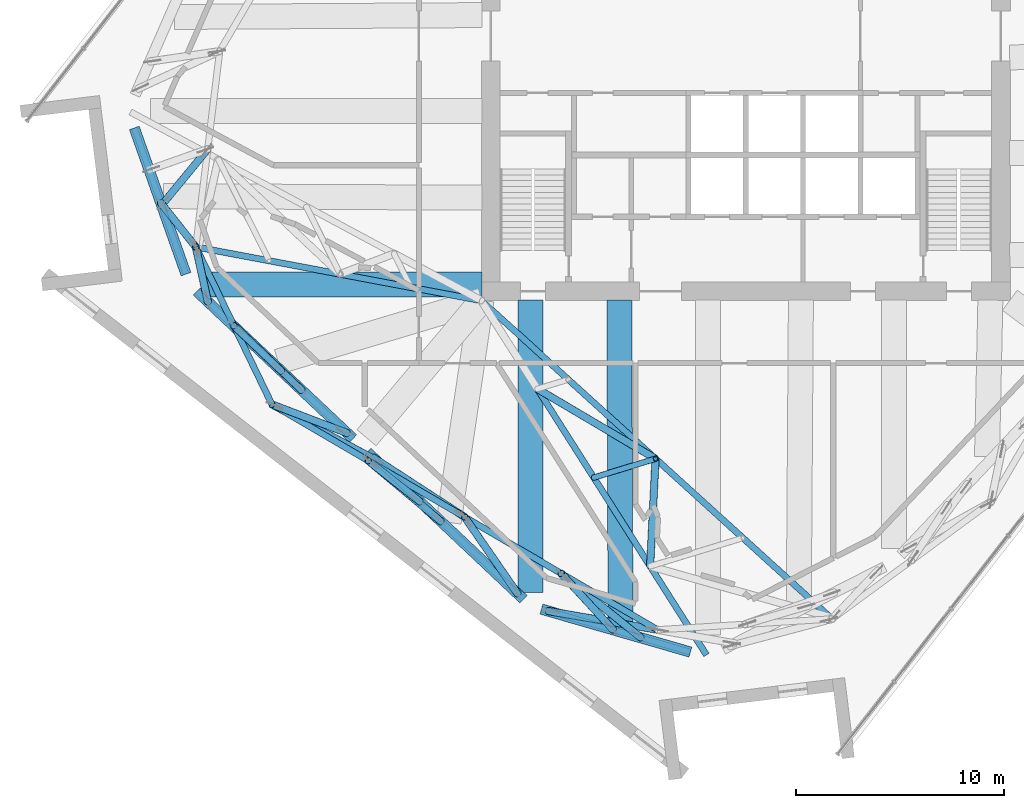
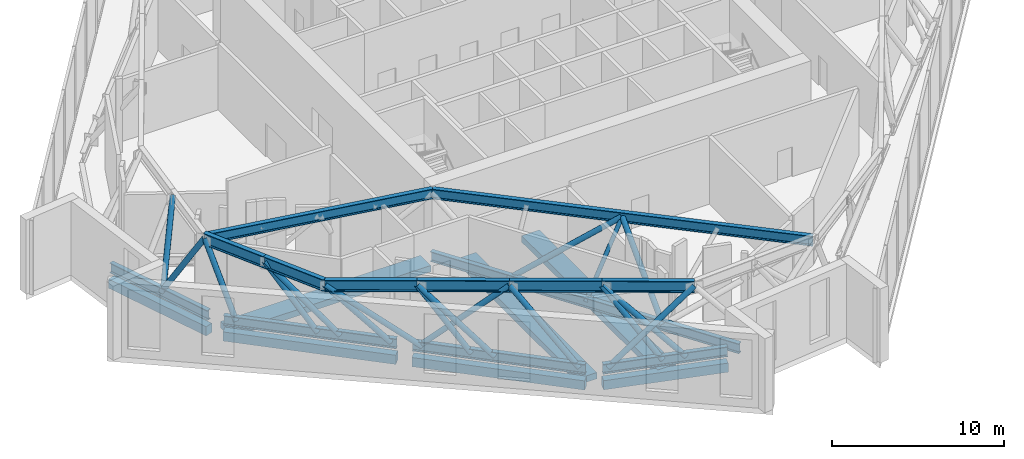
# One storey, part 1 of 23: 20 beams, 17 members.
"""IFC4 building model written with IfcOpenShell, lengths in metres."""

from ifc_helpers import new_model, si_unit, direction, frame, origin, origin_2d, place, context, subcontext, project, spatial, rectangle, hollow_circle, i_section, extrude, material, material_profile, profile_set, type_object, element, save


model = new_model("IFC4")

# Units and contexts
model_context = context("Model", 3, precision=1e-05, world=origin(), true_north=direction((0.0, 1.0)))
body_context = subcontext(model_context, "Body", "Model", "MODEL_VIEW")
ifc_project = project(units=[si_unit("LENGTHUNIT", "METRE"), si_unit("AREAUNIT", "SQUARE_METRE"), si_unit("VOLUMEUNIT", "CUBIC_METRE"), si_unit("PLANEANGLEUNIT", "RADIAN"), si_unit("MASSUNIT", "GRAM", prefix="KILO")], contexts=[model_context])

# Site, building, storey
site_placement = place(None, origin())
site = spatial("IfcSite", under=ifc_project, at=site_placement, CompositionType="ELEMENT")
building_placement = place(site_placement, origin())
building = spatial("IfcBuilding", under=site, at=building_placement, Name="Dilmun Exchange Tower", CompositionType="ELEMENT")
storey_placement = place(building_placement, frame((0.0, 0.0, 237.300048828125)))
storey = spatial("IfcBuildingStorey", under=building, at=storey_placement, Name="L56", CompositionType="ELEMENT", Elevation=237.300048828125)

# Beams
ifc_material_1 = material(Name="Concrete C40/50", Category="concrete")
ifc_material_profile_1 = material_profile(ifc_material_1, rectangle(XDim=1.199951171875, YDim=0.449951171875, at=origin_2d()), Name="1200 x 450")
ifc_profile_set_1 = profile_set([ifc_material_profile_1], Name="Concrete C40/50")
beam_type_1 = type_object("IfcBeamType", Name="RC band beam 1200 x 450 C40/50", PredefinedType="BEAM", material=ifc_profile_set_1)
beam_1_placement = place(storey_placement, frame((-26.0458984375, -11.930908203125, -0.705078125), z_axis=(1.0, 0.0, 0.0), x_axis=(0.0, 1.0, 0.0)))
element("IfcBeam", 1, at=beam_1_placement, inside=storey, type_object=beam_type_1, Name="Band beam 6", PredefinedType="BEAM", context=body_context, shape_type="SweptSolid", body=[
    extrude(rectangle(XDim=1.199951171875, YDim=0.449951171875, at=origin_2d()), origin(), (0.0, 0.0, 1.0), 13.372802734375),
])
beam_2_placement = place(storey_placement, frame((-10.3330078125, -26.703857421875, -0.705078125), z_axis=(0.0, 1.0, 0.0), x_axis=(-1.0, 0.0, 0.0)))
element("IfcBeam", 2, at=beam_2_placement, inside=storey, type_object=beam_type_1, Name="Band beam 8", PredefinedType="BEAM", context=body_context, shape_type="SweptSolid", body=[
    extrude(rectangle(XDim=1.199951171875, YDim=0.449951171875, at=origin_2d()), origin(), (0.0, 0.0, 1.0), 14.03076171875),
])
beam_3_placement = place(storey_placement, frame((-6.01708984375, -28.376708984375, -0.60498046875), z_axis=(-0.003948851398, 0.999992203256, 0.0), x_axis=(-0.999992203256, -0.003948851398, 0.0)))
element("IfcBeam", 3, at=beam_3_placement, inside=storey, type_object=beam_type_1, Name="Band beam 24", PredefinedType="BEAM", context=body_context, shape_type="SweptSolid", body=[
    extrude(rectangle(XDim=1.199951171875, YDim=0.449951171875, at=origin_2d()), origin(), (0.0, 0.0, 1.0), 15.703857421875),
])
ifc_material_profile_2 = material_profile(ifc_material_1, rectangle(XDim=0.5, YDim=0.64990234375, at=origin_2d()), Name="500 x 650")
ifc_profile_set_2 = profile_set([ifc_material_profile_2], Name="Concrete C40/50")
beam_type_2 = type_object("IfcBeamType", Name="RC ring beam 500 x 650 C40/50", PredefinedType="SPANDREL", material=ifc_profile_set_2)
beam_4_placement = place(storey_placement, frame((-29.367919921875, -4.404541015625, -0.705078125), z_axis=(0.333423578623, -0.942777130195, 0.0), x_axis=(0.942777130195, 0.333423578623, 0.0)))
element("IfcBeam", 4, at=beam_4_placement, inside=storey, type_object=beam_type_2, Name="Ring beam 5", PredefinedType="SPANDREL", context=body_context, shape_type="SweptSolid", body=[
    extrude(rectangle(XDim=0.5, YDim=0.64990234375, at=origin_2d()), origin(), (0.0, 0.0, 1.0), 7.4482421875),
])
beam_5_placement = place(storey_placement, frame((-26.36181640625, -12.25537109375, -0.705078125), z_axis=(0.727685706374, -0.68591071776, 0.0), x_axis=(0.68591071776, 0.727685706374, 0.0)))
element("IfcBeam", 5, at=beam_5_placement, inside=storey, type_object=beam_type_2, Name="Ring beam 6", PredefinedType="SPANDREL", context=body_context, shape_type="SweptSolid", body=[
    extrude(rectangle(XDim=0.5, YDim=0.64990234375, at=origin_2d()), origin(), (0.0, 0.0, 1.0), 10.30322265625),
])
beam_6_placement = place(storey_placement, frame((-18.17578125, -19.971435546875, -0.705078125), z_axis=(0.727682990869, -0.685913598641, 0.0), x_axis=(0.685913598641, 0.727682990869, 0.0)))
element("IfcBeam", 6, at=beam_6_placement, inside=storey, type_object=beam_type_2, Name="Ring beam 7", PredefinedType="SPANDREL", context=body_context, shape_type="SweptSolid", body=[
    extrude(rectangle(XDim=0.5, YDim=0.64990234375, at=origin_2d()), origin(), (0.0, 0.0, 1.0), 10.3046875),
])
beam_7_placement = place(storey_placement, frame((-9.818603515625, -27.51220703125, -0.705078125), z_axis=(0.960825605861, -0.277153666983, 0.0), x_axis=(0.277153666983, 0.960825605861, 0.0)))
element("IfcBeam", 7, at=beam_7_placement, inside=storey, type_object=beam_type_2, Name="Ring beam 8", PredefinedType="SPANDREL", context=body_context, shape_type="SweptSolid", body=[
    extrude(rectangle(XDim=0.5, YDim=0.64990234375, at=origin_2d()), origin(), (0.0, 0.0, 1.0), 7.447021484375),
])
ifc_material_2 = material(Name="Steel S355", Category="steel")
ifc_material_profile_3 = material_profile(ifc_material_2, i_section(OverallWidth=0.300048828125, OverallDepth=0.699951171875, WebThickness=0.01708984375, FlangeThickness=0.031982421875, FilletRadius=0.027099609375, at=origin_2d()), Name="HEB 700")
ifc_profile_set_3 = profile_set([ifc_material_profile_3], Name="Steel S355")
beam_type_3 = type_object("IfcBeamType", Name="belt bottom chord HEB 700", PredefinedType="BEAM", material=ifc_profile_set_3)
beam_8_placement = place(storey_placement, frame((-29.367919921875, -4.404541015625, 0.349853515625), z_axis=(0.333423578623, -0.942777130195, 0.0), x_axis=(0.942777130195, 0.333423578623, 0.0)))
element("IfcBeam", 8, at=beam_8_placement, inside=storey, type_object=beam_type_3, Name="Belt bottom chord 5", PredefinedType="BEAM", context=body_context, shape_type="SweptSolid", body=[
    extrude(i_section(OverallWidth=0.300048828125, OverallDepth=0.699951171875, WebThickness=0.01708984375, FlangeThickness=0.031982421875, FilletRadius=0.027099609375, at=origin_2d()), origin(), (0.0, 0.0, 1.0), 7.4482421875),
])
beam_9_placement = place(storey_placement, frame((-26.36181640625, -12.25537109375, 0.349853515625), z_axis=(0.727685706374, -0.68591071776, 0.0), x_axis=(0.68591071776, 0.727685706374, 0.0)))
element("IfcBeam", 9, at=beam_9_placement, inside=storey, type_object=beam_type_3, Name="Belt bottom chord 6", PredefinedType="BEAM", context=body_context, shape_type="SweptSolid", body=[
    extrude(i_section(OverallWidth=0.300048828125, OverallDepth=0.699951171875, WebThickness=0.01708984375, FlangeThickness=0.031982421875, FilletRadius=0.027099609375, at=origin_2d()), origin(), (0.0, 0.0, 1.0), 10.30322265625),
])
beam_10_placement = place(storey_placement, frame((-18.17578125, -19.971435546875, 0.349853515625), z_axis=(0.727682990869, -0.685913598641, 0.0), x_axis=(0.685913598641, 0.727682990869, 0.0)))
element("IfcBeam", 10, at=beam_10_placement, inside=storey, type_object=beam_type_3, Name="Belt bottom chord 7", PredefinedType="BEAM", context=body_context, shape_type="SweptSolid", body=[
    extrude(i_section(OverallWidth=0.300048828125, OverallDepth=0.699951171875, WebThickness=0.01708984375, FlangeThickness=0.031982421875, FilletRadius=0.027099609375, at=origin_2d()), origin(), (0.0, 0.0, 1.0), 10.3046875),
])
beam_11_placement = place(storey_placement, frame((-9.818603515625, -27.51220703125, 0.349853515625), z_axis=(0.960825605861, -0.277153666983, 0.0), x_axis=(0.277153666983, 0.960825605861, 0.0)))
element("IfcBeam", 11, at=beam_11_placement, inside=storey, type_object=beam_type_3, Name="Belt bottom chord 8", PredefinedType="BEAM", context=body_context, shape_type="SweptSolid", body=[
    extrude(i_section(OverallWidth=0.300048828125, OverallDepth=0.699951171875, WebThickness=0.01708984375, FlangeThickness=0.031982421875, FilletRadius=0.027099609375, at=origin_2d()), origin(), (0.0, 0.0, 1.0), 7.447021484375),
])
ifc_material_profile_4 = material_profile(ifc_material_2, i_section(OverallWidth=0.300048828125, OverallDepth=0.699951171875, WebThickness=0.01708984375, FlangeThickness=0.031982421875, FilletRadius=0.027099609375, at=origin_2d()), Name="HEB 700")
ifc_profile_set_4 = profile_set([ifc_material_profile_4], Name="Steel S355")
beam_type_4 = type_object("IfcBeamType", Name="outrigger chord HEB 700", PredefinedType="BEAM", material=ifc_profile_set_4)
beam_12_placement = place(storey_placement, frame((-12.673583984375, -12.705078125, 4.7900390625), z_axis=(-0.98278691706, 0.184742728292, 0.0), x_axis=(-0.184742728292, -0.98278691706, 0.0)))
element("IfcBeam", 12, at=beam_12_placement, inside=storey, type_object=beam_type_4, Name="Outrigger top chord 2", PredefinedType="BEAM", context=body_context, shape_type="SweptSolid", body=[
    extrude(i_section(OverallWidth=0.300048828125, OverallDepth=0.699951171875, WebThickness=0.01708984375, FlangeThickness=0.031982421875, FilletRadius=0.027099609375, at=origin_2d()), origin(), (0.0, 0.0, 1.0), 13.857421875),
])
beam_13_placement = place(storey_placement, frame((-12.714599609375, -12.67724609375, 0.349853515625), z_axis=(0.536235123558, -0.844068653762, 0.0), x_axis=(0.844068653762, 0.536235123558, 0.0)))
element("IfcBeam", 13, at=beam_13_placement, inside=storey, type_object=beam_type_4, Name="Outrigger bottom chord 3", PredefinedType="BEAM", context=body_context, shape_type="SweptSolid", body=[
    extrude(i_section(OverallWidth=0.300048828125, OverallDepth=0.699951171875, WebThickness=0.01708984375, FlangeThickness=0.031982421875, FilletRadius=0.027099609375, at=origin_2d()), origin(), (0.0, 0.0, 1.0), 20.184326171875),
])
beam_14_placement = place(storey_placement, frame((-12.719970703125, -12.681884765625, 4.7900390625), z_axis=(0.74052960224, -0.672023740805, 0.0), x_axis=(0.672023740805, 0.74052960224, 0.0)))
element("IfcBeam", 14, at=beam_14_placement, inside=storey, type_object=beam_type_4, Name="Outrigger top chord 3", PredefinedType="BEAM", context=body_context, shape_type="SweptSolid", body=[
    extrude(i_section(OverallWidth=0.300048828125, OverallDepth=0.699951171875, WebThickness=0.01708984375, FlangeThickness=0.031982421875, FilletRadius=0.027099609375, at=origin_2d()), origin(), (0.0, 0.0, 1.0), 22.644287109375),
])

# Member
ifc_material_profile_5 = material_profile(ifc_material_2, hollow_circle(Radius=0.136474609375, WallThickness=0.01611328125, at=origin_2d()), Name="CHS 273x16")
ifc_profile_set_5 = profile_set([ifc_material_profile_5], Name="Steel S355")
member_type_1 = type_object("IfcMemberType", Name="outrigger post CHS 273x16", PredefinedType="POST", material=ifc_profile_set_5)
member_1_placement = place(storey_placement, frame((-4.335693359375, -20.29052734375, 4.7900390625), z_axis=(-0.547781747449, -0.167133606479, -0.819756985177), x_axis=(0.291828609368, -0.956470628276, 0.0)))
element("IfcMember", 15, at=member_1_placement, inside=storey, type_object=member_type_1, Name="Outrigger post 3.2", PredefinedType="POST", context=body_context, shape_type="SweptSolid", body=[
    extrude(hollow_circle(Radius=0.136474609375, WallThickness=0.01611328125, at=origin_2d()), origin(), (0.0, 0.0, 1.0), 5.41650390625),
])

# Beams
ifc_material_profile_6 = material_profile(ifc_material_2, i_section(OverallWidth=0.302978515625, OverallDepth=0.81396484375, WebThickness=0.02099609375, FlangeThickness=0.0400390625, FilletRadius=0.030029296875, at=origin_2d()), Name="HEM 800")
ifc_profile_set_6 = profile_set([ifc_material_profile_6], Name="Steel S355")
beam_type_5 = type_object("IfcBeamType", Name="transfer chord HEM 800", PredefinedType="BEAM", material=ifc_profile_set_6)
beam_15_placement = place(storey_placement, frame((-26.4150390625, -10.1220703125, 4.8330078125), z_axis=(0.435477342171, -0.900199691433, 0.0), x_axis=(0.900199691433, 0.435477342171, 0.0)))
element("IfcBeam", 16, at=beam_15_placement, inside=storey, type_object=beam_type_5, Name="Transfer chord 9", PredefinedType="BEAM", context=body_context, shape_type="SweptSolid", body=[
    extrude(i_section(OverallWidth=0.302978515625, OverallDepth=0.81396484375, WebThickness=0.02099609375, FlangeThickness=0.0400390625, FilletRadius=0.030029296875, at=origin_2d()), origin(), (0.0, 0.0, 1.0), 4.19921875),
])
beam_16_placement = place(storey_placement, frame((-24.58642578125, -13.902099609375, 4.8330078125), z_axis=(0.435453017178, -0.900211458398, 0.0), x_axis=(0.900211458398, 0.435453017178, 0.0)))
element("IfcBeam", 17, at=beam_16_placement, inside=storey, type_object=beam_type_5, Name="Transfer chord 10", PredefinedType="BEAM", context=body_context, shape_type="SweptSolid", body=[
    extrude(i_section(OverallWidth=0.302978515625, OverallDepth=0.81396484375, WebThickness=0.02099609375, FlangeThickness=0.0400390625, FilletRadius=0.030029296875, at=origin_2d()), origin(), (0.0, 0.0, 1.0), 4.19873046875),
])
beam_17_placement = place(storey_placement, frame((-22.758056640625, -17.681884765625, 4.8330078125), z_axis=(0.863337684908, -0.504626636056, 0.0), x_axis=(0.504626636056, 0.863337684908, 0.0)))
element("IfcBeam", 18, at=beam_17_placement, inside=storey, type_object=beam_type_5, Name="Transfer chord 11", PredefinedType="BEAM", context=body_context, shape_type="SweptSolid", body=[
    extrude(i_section(OverallWidth=0.302978515625, OverallDepth=0.81396484375, WebThickness=0.02099609375, FlangeThickness=0.0400390625, FilletRadius=0.030029296875, at=origin_2d()), origin(), (0.0, 0.0, 1.0), 5.362548828125),
])
beam_18_placement = place(storey_placement, frame((-18.12841796875, -20.387939453125, 4.8330078125), z_axis=(0.86332609074, -0.504646471351, 0.0), x_axis=(0.504646471351, 0.86332609074, 0.0)))
element("IfcBeam", 19, at=beam_18_placement, inside=storey, type_object=beam_type_5, Name="Transfer chord 12", PredefinedType="BEAM", context=body_context, shape_type="SweptSolid", body=[
    extrude(i_section(OverallWidth=0.302978515625, OverallDepth=0.81396484375, WebThickness=0.02099609375, FlangeThickness=0.0400390625, FilletRadius=0.030029296875, at=origin_2d()), origin(), (0.0, 0.0, 1.0), 5.3623046875),
])
beam_19_placement = place(storey_placement, frame((-13.4990234375, -23.093994140625, 4.8330078125), z_axis=(0.863337684908, -0.504626636056, 0.0), x_axis=(0.504626636056, 0.863337684908, 0.0)))
element("IfcBeam", 20, at=beam_19_placement, inside=storey, type_object=beam_type_5, Name="Transfer chord 13", PredefinedType="BEAM", context=body_context, shape_type="SweptSolid", body=[
    extrude(i_section(OverallWidth=0.302978515625, OverallDepth=0.81396484375, WebThickness=0.02099609375, FlangeThickness=0.0400390625, FilletRadius=0.030029296875, at=origin_2d()), origin(), (0.0, 0.0, 1.0), 5.362548828125),
])
beam_20_placement = place(storey_placement, frame((-8.869384765625, -25.800048828125, 4.8330078125), z_axis=(0.86332609074, -0.504646471351, 0.0), x_axis=(0.504646471351, 0.86332609074, 0.0)))
element("IfcBeam", 21, at=beam_20_placement, inside=storey, type_object=beam_type_5, Name="Transfer chord 14", PredefinedType="BEAM", context=body_context, shape_type="SweptSolid", body=[
    extrude(i_section(OverallWidth=0.302978515625, OverallDepth=0.81396484375, WebThickness=0.02099609375, FlangeThickness=0.0400390625, FilletRadius=0.030029296875, at=origin_2d()), origin(), (0.0, 0.0, 1.0), 5.3623046875),
])

# Members
ifc_material_profile_7 = material_profile(ifc_material_2, hollow_circle(Radius=0.177734375, WallThickness=0.02001953125, at=origin_2d()), Name="CHS 355.6x20")
ifc_profile_set_7 = profile_set([ifc_material_profile_7], Name="Steel S355")
member_type_2 = type_object("IfcMemberType", Name="truss diagonal CHS 355.6x20", PredefinedType="BRACE", material=ifc_profile_set_7)
member_2_placement = place(storey_placement, frame((-25.841552734375, -5.422119140625, 4.8330078125), z_axis=(-0.389920405298, -0.474095063906, -0.789427607772), x_axis=(0.772338441393, -0.635211249858, 0.0)))
element("IfcMember", 22, at=member_2_placement, inside=storey, type_object=member_type_2, Name="Truss diagonal 16", PredefinedType="BRACE", context=body_context, shape_type="SweptSolid", body=[
    extrude(hollow_circle(Radius=0.177734375, WallThickness=0.02001953125, at=origin_2d()), origin(), (0.0, 0.0, 1.0), 5.678955078125),
])
member_3_placement = place(storey_placement, frame((-26.4150390625, -10.1220703125, 4.8330078125), z_axis=(0.111307965495, -0.503149340044, -0.857001329305), x_axis=(0.976393320872, 0.21600019203, 0.0)))
element("IfcMember", 23, at=member_3_placement, inside=storey, type_object=member_type_2, Name="Truss diagonal 17", PredefinedType="BRACE", context=body_context, shape_type="SweptSolid", body=[
    extrude(hollow_circle(Radius=0.177734375, WallThickness=0.02001953125, at=origin_2d()), origin(), (0.0, 0.0, 1.0), 5.231201171875),
])
member_4_placement = place(storey_placement, frame((-26.4150390625, -10.1220703125, 4.8330078125), z_axis=(-0.320635516304, 0.403605964273, -0.856910200247), x_axis=(-0.7829928324, -0.622030726259, 0.0)))
element("IfcMember", 24, at=member_4_placement, inside=storey, type_object=member_type_2, Name="Truss diagonal 18", PredefinedType="BRACE", context=body_context, shape_type="SweptSolid", body=[
    extrude(hollow_circle(Radius=0.177734375, WallThickness=0.02001953125, at=origin_2d()), origin(), (0.0, 0.0, 1.0), 5.231689453125),
])
member_5_placement = place(storey_placement, frame((-24.58642578125, -13.902099609375, 4.8330078125), z_axis=(0.415903197084, -0.396921542707, -0.818216242561), x_axis=(0.69040569658, 0.723422403669, 0.0)))
element("IfcMember", 25, at=member_5_placement, inside=storey, type_object=member_type_2, Name="Truss diagonal 19", PredefinedType="BRACE", context=body_context, shape_type="SweptSolid", body=[
    extrude(hollow_circle(Radius=0.177734375, WallThickness=0.02001953125, at=origin_2d()), origin(), (0.0, 0.0, 1.0), 5.479248046875),
])
member_6_placement = place(storey_placement, frame((-24.58642578125, -13.902099609375, 4.8330078125), z_axis=(0.513417730959, -0.488127353136, -0.705786030364), x_axis=(0.689031732545, 0.724731171916, 0.0)))
element("IfcMember", 26, at=member_6_placement, inside=storey, type_object=member_type_2, Name="Truss diagonal 20", PredefinedType="BRACE", context=body_context, shape_type="SweptSolid", body=[
    extrude(hollow_circle(Radius=0.177734375, WallThickness=0.02001953125, at=origin_2d()), origin(), (0.0, 0.0, 1.0), 6.35205078125),
])
member_7_placement = place(storey_placement, frame((-22.758056640625, -17.681884765625, 4.8330078125), z_axis=(0.610865147829, -0.233246162273, -0.756597646674), x_axis=(0.356710564723, 0.934214950113, 0.0)))
element("IfcMember", 27, at=member_7_placement, inside=storey, type_object=member_type_2, Name="Truss diagonal 21", PredefinedType="BRACE", context=body_context, shape_type="SweptSolid", body=[
    extrude(hollow_circle(Radius=0.177734375, WallThickness=0.02001953125, at=origin_2d()), origin(), (0.0, 0.0, 1.0), 5.92529296875),
])
member_8_placement = place(storey_placement, frame((-22.758056640625, -17.681884765625, 4.8330078125), z_axis=(0.690571322137, -0.369428906762, -0.621798626478), x_axis=(0.471705412743, 0.881756204168, 0.0)))
element("IfcMember", 28, at=member_8_placement, inside=storey, type_object=member_type_2, Name="Truss diagonal 22", PredefinedType="BRACE", context=body_context, shape_type="SweptSolid", body=[
    extrude(hollow_circle(Radius=0.177734375, WallThickness=0.02001953125, at=origin_2d()), origin(), (0.0, 0.0, 1.0), 7.2099609375),
])
member_9_placement = place(storey_placement, frame((-18.12841796875, -20.387939453125, 4.8330078125), z_axis=(0.451672953703, -0.357947144214, -0.817230313218), x_axis=(0.621100432613, 0.783730982294, 0.0)))
element("IfcMember", 29, at=member_9_placement, inside=storey, type_object=member_type_2, Name="Truss diagonal 23", PredefinedType="BRACE", context=body_context, shape_type="SweptSolid", body=[
    extrude(hollow_circle(Radius=0.177734375, WallThickness=0.02001953125, at=origin_2d()), origin(), (0.0, 0.0, 1.0), 5.48583984375),
])
member_10_placement = place(storey_placement, frame((-18.12841796875, -20.387939453125, 4.8330078125), z_axis=(0.546908996188, -0.457361335522, -0.701221190965), x_axis=(0.641511076746, 0.767113771492, 0.0)))
element("IfcMember", 30, at=member_10_placement, inside=storey, type_object=member_type_2, Name="Truss diagonal 24", PredefinedType="BRACE", context=body_context, shape_type="SweptSolid", body=[
    extrude(hollow_circle(Radius=0.177734375, WallThickness=0.02001953125, at=origin_2d()), origin(), (0.0, 0.0, 1.0), 6.393310546875),
])
member_11_placement = place(storey_placement, frame((-13.4990234375, -23.093994140625, 4.8330078125), z_axis=(0.401893661607, -0.581638531633, -0.707232708011), x_axis=(0.822707639814, 0.568464721326, 0.0)))
element("IfcMember", 31, at=member_11_placement, inside=storey, type_object=member_type_2, Name="Truss diagonal 25", PredefinedType="BRACE", context=body_context, shape_type="SweptSolid", body=[
    extrude(hollow_circle(Radius=0.177734375, WallThickness=0.02001953125, at=origin_2d()), origin(), (0.0, 0.0, 1.0), 6.339111328125),
])
member_12_placement = place(storey_placement, frame((-13.4990234375, -23.093994140625, 4.8330078125), z_axis=(-0.637560749617, 0.414752129638, -0.649227973449), x_axis=(-0.545300382733, -0.838240712797, 0.0)))
element("IfcMember", 32, at=member_12_placement, inside=storey, type_object=member_type_2, Name="Truss diagonal 26", PredefinedType="BRACE", context=body_context, shape_type="SweptSolid", body=[
    extrude(hollow_circle(Radius=0.177734375, WallThickness=0.02001953125, at=origin_2d()), origin(), (0.0, 0.0, 1.0), 6.9052734375),
])
member_13_placement = place(storey_placement, frame((-8.869384765625, -25.800048828125, 4.8330078125), z_axis=(0.430473795903, -0.466493890653, -0.772706775578), x_axis=(0.734910180048, 0.678164454437, 0.0)))
element("IfcMember", 33, at=member_13_placement, inside=storey, type_object=member_type_2, Name="Truss diagonal 27", PredefinedType="BRACE", context=body_context, shape_type="SweptSolid", body=[
    extrude(hollow_circle(Radius=0.177734375, WallThickness=0.02001953125, at=origin_2d()), origin(), (0.0, 0.0, 1.0), 5.802001953125),
])
member_14_placement = place(storey_placement, frame((-8.869384765625, -25.800048828125, 4.8330078125), z_axis=(0.576435748506, -0.464188253641, -0.672496165808), x_axis=(0.627196153995, 0.778861338374, 0.0)))
element("IfcMember", 34, at=member_14_placement, inside=storey, type_object=member_type_2, Name="Truss diagonal 28", PredefinedType="BRACE", context=body_context, shape_type="SweptSolid", body=[
    extrude(hollow_circle(Radius=0.177734375, WallThickness=0.02001953125, at=origin_2d()), origin(), (0.0, 0.0, 1.0), 6.66650390625),
])
member_15_placement = place(storey_placement, frame((-4.239990234375, -28.506103515625, 4.8330078125), z_axis=(-0.755615985585, 0.129816868151, -0.642021855603), x_axis=(-0.169322005822, -0.985560783688, 0.0)))
element("IfcMember", 35, at=member_15_placement, inside=storey, type_object=member_type_2, Name="Truss diagonal 30", PredefinedType="BRACE", context=body_context, shape_type="SweptSolid", body=[
    extrude(hollow_circle(Radius=0.177734375, WallThickness=0.02001953125, at=origin_2d()), origin(), (0.0, 0.0, 1.0), 6.98291015625),
])
member_16_placement = place(storey_placement, frame((-4.335693359375, -20.29052734375, 4.7900390625), z_axis=(-0.71388632939, 0.422076536115, -0.558764446231), x_axis=(-0.508938978958, -0.860802599728, 0.0)))
element("IfcMember", 36, at=member_16_placement, inside=storey, type_object=member_type_2, Name="Outrigger diagonal 3.1", PredefinedType="BRACE", context=body_context, shape_type="SweptSolid", body=[
    extrude(hollow_circle(Radius=0.177734375, WallThickness=0.02001953125, at=origin_2d()), origin(), (0.0, 0.0, 1.0), 7.946533203125),
])
member_17_placement = place(storey_placement, frame((-4.335693359375, -20.29052734375, 4.7900390625), z_axis=(-0.038292073953, -0.757710234169, -0.651466743669), x_axis=(0.998725468495, -0.050472156471, 0.0)))
element("IfcMember", 37, at=member_17_placement, inside=storey, type_object=member_type_2, Name="Outrigger diagonal 3.2", PredefinedType="BRACE", context=body_context, shape_type="SweptSolid", body=[
    extrude(hollow_circle(Radius=0.177734375, WallThickness=0.02001953125, at=origin_2d()), origin(), (0.0, 0.0, 1.0), 6.815673828125),
])

save(model, "model.ifc")
